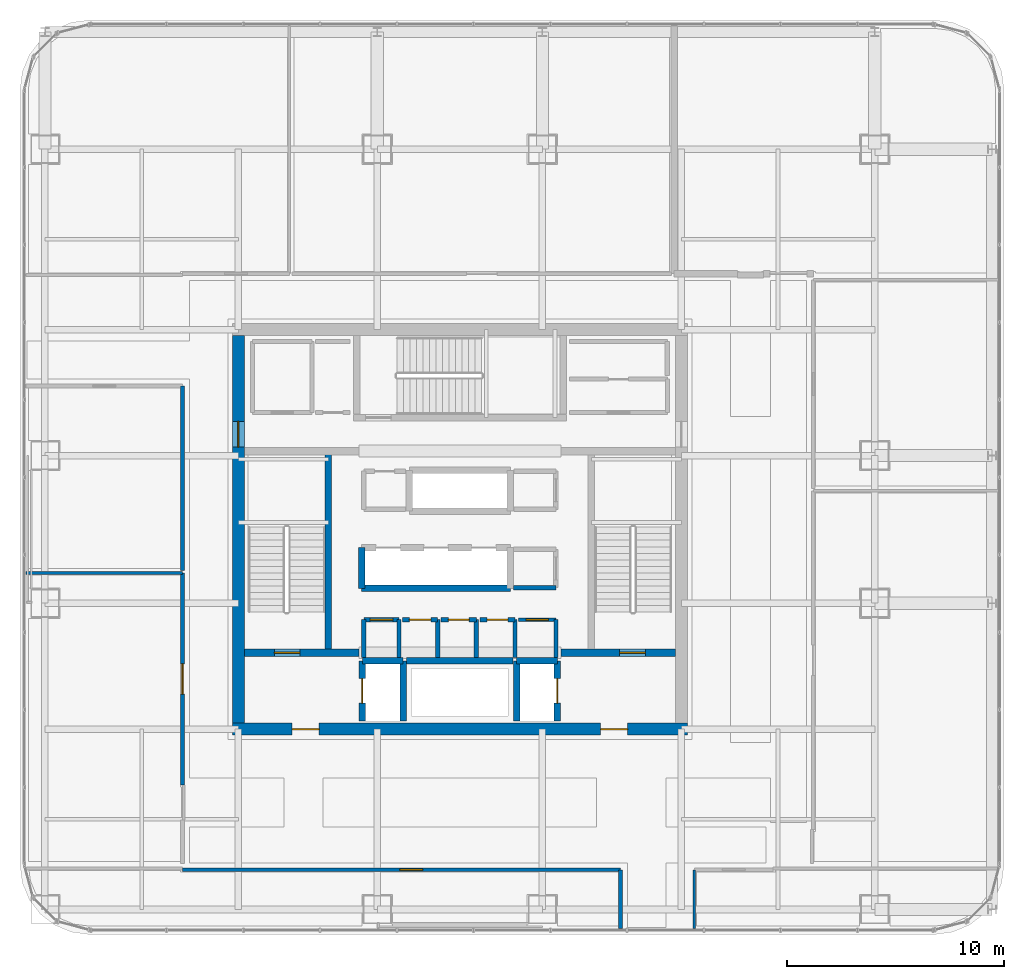
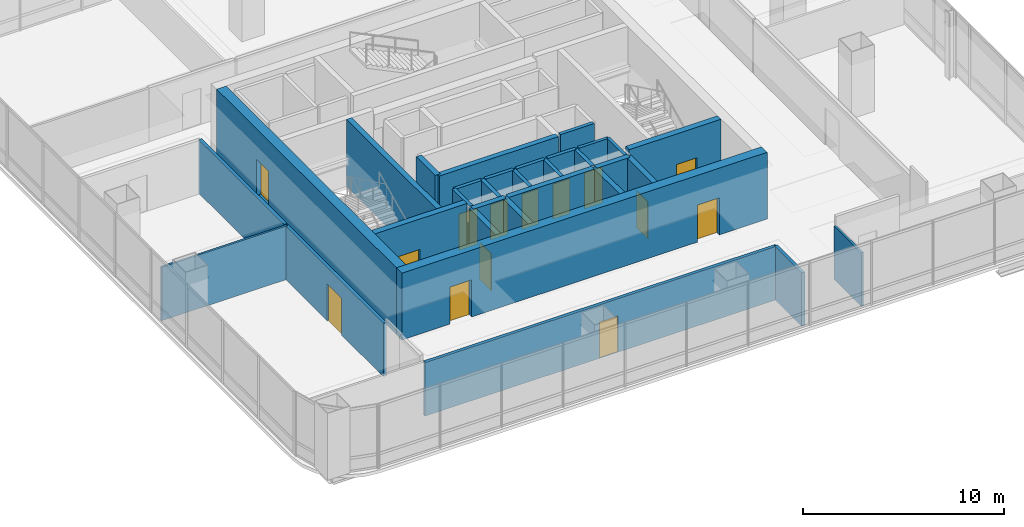
# One storey, part 33 of 40: 32 walls, 14 doors, 14 openings.
"""IFC4 building model written with IfcOpenShell, lengths in metres."""

from ifc_helpers import new_model, si_unit, direction, frame, frame_2d, origin, place, context, subcontext, project, spatial, rectangle, extrude, material, layer, layer_set, type_object, element, fill, save


model = new_model("IFC4")

# Units and contexts
model_context = context("Model", 3, precision=1e-05, world=origin(), true_north=direction((0.0, 1.0)))
body_context = subcontext(model_context, "Body", "Model", "MODEL_VIEW")
ifc_project = project(units=[si_unit("LENGTHUNIT", "METRE"), si_unit("AREAUNIT", "SQUARE_METRE"), si_unit("VOLUMEUNIT", "CUBIC_METRE"), si_unit("PLANEANGLEUNIT", "RADIAN"), si_unit("MASSUNIT", "GRAM", prefix="KILO")], contexts=[model_context])

# Site, building, storey
site_placement = place(None, origin())
site = spatial("IfcSite", under=ifc_project, at=site_placement, CompositionType="ELEMENT")
building_placement = place(site_placement, origin())
building = spatial("IfcBuilding", under=site, at=building_placement, Name="Punatoya Terracotta Tower", CompositionType="ELEMENT")
storey_placement = place(building_placement, frame((0.0, 0.0, 271.64990234375)))
storey = spatial("IfcBuildingStorey", under=building, at=storey_placement, Name="L64", CompositionType="ELEMENT", Elevation=271.64990234375)

# Wall, openings, doors
ifc_material_1 = material(Name="Concrete C50/60", Category="concrete")
ifc_layer_1 = layer(ifc_material_1, 0.550048828125)
ifc_layer_set_1 = layer_set([ifc_layer_1], Name="Concrete C50/60")
wall_type_1 = type_object("IfcWallType", Name="WL-COR-550", PredefinedType="SHEAR", material=ifc_layer_set_1)
wall_1_placement = place(storey_placement, frame((10.47509765625, -9.199951171875, 0.0), z_axis=(0.0, 0.0, 1.0), x_axis=(-1.0, 0.0, 0.0)))
wall_1 = element("IfcWall", 1, at=wall_1_placement, inside=storey, type_object=wall_type_1, Name="L64 Core Shear Wall S", PredefinedType="SHEAR", context=body_context, shape_type="SweptSolid", body=[
    extrude(rectangle(XDim=20.9501953125, YDim=0.550048828125, at=frame_2d((10.47509765625, 0.0))), origin(), (0.0, 0.0, 1.0), 4.050048828125),
])
opening_1_placement = place(wall_1_placement, frame((2.75, 0.0, 0.0)))
opening_1 = element("IfcOpeningElement", 2, at=opening_1_placement, cuts=wall_1, Name="Opening FD-L1", PredefinedType="OPENING", context=body_context, shape_type="SweptSolid", body=[
    extrude(rectangle(XDim=1.25, YDim=2.25, at=frame_2d((0.625, 1.125))), frame((0.0, 0.284912109375, 0.0), z_axis=(0.0, -1.0, 0.0), x_axis=(1.0, 0.0, 0.0)), (0.0, 0.0, 1.0), 0.570068359375),
])
opening_2_placement = place(wall_1_placement, frame((16.949951171875, 0.0, 0.0)))
opening_2 = element("IfcOpeningElement", 3, at=opening_2_placement, cuts=wall_1, Name="Opening FD-L1", PredefinedType="OPENING", context=body_context, shape_type="SweptSolid", body=[
    extrude(rectangle(XDim=1.25, YDim=2.25, at=frame_2d((0.625, 1.125))), frame((0.0, 0.284912109375, 0.0), z_axis=(0.0, -1.0, 0.0), x_axis=(1.0, 0.0, 0.0)), (0.0, 0.0, 1.0), 0.570068359375),
])
ifc_material_2 = material(Name="Galvanised Steel Smokeproof Fire Door", Category="steel")
door_type_1 = type_object("IfcDoorType", Name="DR-FFL-1250", OperationType="NOTDEFINED", PredefinedType="DOOR", material=ifc_material_2)
door_1_placement = place(opening_1_placement, origin())
door_1 = element("IfcDoor", 4, at=door_1_placement, inside=storey, type_object=door_type_1, Name="L64 East Firefighting Lobby Corridor Fire Door", OperationType="SINGLE_SWING_LEFT", OverallHeight=2.25, OverallWidth=1.25, PredefinedType="DOOR", context=body_context, shape_type="SweptSolid", body=[
    extrude(rectangle(XDim=1.25, YDim=2.25, at=frame_2d((0.625, 1.125))), frame((0.0, 0.02490234375, 0.0), z_axis=(0.0, -1.0, 0.0), x_axis=(1.0, 0.0, 0.0)), (0.0, 0.0, 1.0), 0.050048828125),
])
fill(opening_1, door_1)
door_2_placement = place(opening_2_placement, origin())
door_2 = element("IfcDoor", 5, at=door_2_placement, inside=storey, type_object=door_type_1, Name="L64 West Firefighting Lobby Corridor Fire Door", OperationType="SINGLE_SWING_RIGHT", OverallHeight=2.25, OverallWidth=1.25, PredefinedType="DOOR", context=body_context, shape_type="SweptSolid", body=[
    extrude(rectangle(XDim=1.25, YDim=2.25, at=frame_2d((0.625, 1.125))), frame((0.0, 0.02490234375, 0.0), z_axis=(0.0, -1.0, 0.0), x_axis=(1.0, 0.0, 0.0)), (0.0, 0.0, 1.0), 0.050048828125),
])
fill(opening_2, door_2)

# Wall, opening, door
wall_2_placement = place(storey_placement, frame((-10.199951171875, -8.925048828125, 0.0), z_axis=(0.0, 0.0, 1.0), x_axis=(0.0, 1.0, 0.0)))
wall_2 = element("IfcWall", 6, at=wall_2_placement, inside=storey, type_object=wall_type_1, Name="L64 Core Shear Wall W", PredefinedType="SHEAR", context=body_context, shape_type="SweptSolid", body=[
    extrude(rectangle(XDim=17.85009765625, YDim=0.550048828125, at=frame_2d((8.925048828125, 0.0))), origin(), (0.0, 0.0, 1.0), 4.050048828125),
])
opening_3_placement = place(wall_2_placement, frame((12.715087890625, 0.0, 0.0)))
opening_3 = element("IfcOpeningElement", 7, at=opening_3_placement, cuts=wall_2, Name="Opening SD-01", PredefinedType="OPENING", context=body_context, shape_type="SweptSolid", body=[
    extrude(rectangle(XDim=1.179931640625, YDim=2.199951171875, at=frame_2d((0.58984375, 1.10009765625))), frame((0.0, 0.284912109375, 0.0), z_axis=(0.0, -1.0, 0.0), x_axis=(1.0, 0.0, 0.0)), (0.0, 0.0, 1.0), 0.570068359375),
])
ifc_material_3 = material(Name="Galvanised Steel Pressurized Stair Fire Door", Category="steel")
door_type_2 = type_object("IfcDoorType", Name="DR-STR-1180", OperationType="NOTDEFINED", PredefinedType="DOOR", material=ifc_material_3)
door_3_placement = place(opening_3_placement, origin())
door_3 = element("IfcDoor", 8, at=door_3_placement, inside=storey, type_object=door_type_2, Name="L64 Central Lift Lobby West Fire Door", OperationType="SINGLE_SWING_LEFT", OverallHeight=2.199951171875, OverallWidth=1.179931640625, PredefinedType="DOOR", context=body_context, shape_type="SweptSolid", body=[
    extrude(rectangle(XDim=1.179931640625, YDim=2.199951171875, at=frame_2d((0.58984375, 1.10009765625))), frame((0.0, 0.02490234375, 0.0), z_axis=(0.0, -1.0, 0.0), x_axis=(1.0, 0.0, 0.0)), (0.0, 0.0, 1.0), 0.050048828125),
])
fill(opening_3, door_3)

# Wall
ifc_material_4 = material(Name="Gypsum Fireboard + Steel Stud", Category="steel")
ifc_layer_2 = layer(ifc_material_4, 0.179931640625)
ifc_layer_set_2 = layer_set([ifc_layer_2], Name="Gypsum Fireboard + Steel Stud")
wall_type_2 = type_object("IfcWallType", Name="WL-CORR-180", PredefinedType="PARTITIONING", material=ifc_layer_set_2)
wall_3_placement = place(storey_placement, frame((4.419921875, -5.89990234375, 0.0), z_axis=(0.0, 0.0, 1.0), x_axis=(0.0, 1.0, 0.0)))
element("IfcWall", 9, at=wall_3_placement, inside=storey, type_object=wall_type_2, Name="L64 Core Focus Booth Partition 10", PredefinedType="PARTITIONING", context=body_context, shape_type="SweptSolid", body=[
    extrude(rectangle(XDim=1.739990234375, YDim=0.179931640625, at=frame_2d((0.8701171875, 0.0))), origin(), (0.0, 0.0, 1.0), 3.85009765625),
])

# Wall, opening, door
wall_4_placement = place(storey_placement, frame((4.419921875, -4.159912109375, 0.0), z_axis=(0.0, 0.0, 1.0), x_axis=(-1.0, 0.0, 0.0)))
wall_4 = element("IfcWall", 10, at=wall_4_placement, inside=storey, type_object=wall_type_2, Name="L64 Core Focus Booth Partition 11", PredefinedType="PARTITIONING", context=body_context, shape_type="SweptSolid", body=[
    extrude(rectangle(XDim=1.719970703125, YDim=0.179931640625, at=frame_2d((0.85986328125, 0.0))), origin(), (0.0, 0.0, 1.0), 3.85009765625),
])
opening_4_placement = place(wall_4_placement, frame((0.35009765625, 0.0, 0.0)))
opening_4 = element("IfcOpeningElement", 11, at=opening_4_placement, cuts=wall_4, Name="Opening MD-01", PredefinedType="OPENING", context=body_context, shape_type="SweptSolid", body=[
    extrude(rectangle(XDim=1.02001953125, YDim=2.199951171875, at=frame_2d((0.510009765625, 1.10009765625))), frame((0.0, 0.099853515625, 0.0), z_axis=(0.0, -1.0, 0.0), x_axis=(1.0, 0.0, 0.0)), (0.0, 0.0, 1.0), 0.199951171875),
])
ifc_material_5 = material(Name="Aluminium + Acoustic Glass Leaf", Category="aluminium")
door_type_3 = type_object("IfcDoorType", Name="DR-MTG-1020", OperationType="NOTDEFINED", PredefinedType="DOOR", material=ifc_material_5)
door_4_placement = place(opening_4_placement, origin())
door_4 = element("IfcDoor", 12, at=door_4_placement, inside=storey, type_object=door_type_3, Name="L64 Focus Booth Door", OperationType="SINGLE_SWING_RIGHT", OverallHeight=2.199951171875, OverallWidth=1.02001953125, PredefinedType="DOOR", context=body_context, shape_type="SweptSolid", body=[
    extrude(rectangle(XDim=1.02001953125, YDim=2.199951171875, at=frame_2d((0.510009765625, 1.10009765625))), frame((0.0, 0.02490234375, 0.0), z_axis=(0.0, -1.0, 0.0), x_axis=(1.0, 0.0, 0.0)), (0.0, 0.0, 1.0), 0.050048828125),
])
fill(opening_4, door_4)

wall_5_placement = place(storey_placement, frame((-12.77001953125, -15.669921875, 0.0), z_axis=(0.0, 0.0, 1.0), x_axis=(1.0, 0.0, 0.0)))
wall_5 = element("IfcWall", 13, at=wall_5_placement, inside=storey, type_object=wall_type_2, Name="L64 Open-Plan Staff Wellness Studio Partition 33", PredefinedType="PARTITIONING", context=body_context, shape_type="SweptSolid", body=[
    extrude(rectangle(XDim=20.169921875, YDim=0.179931640625, at=frame_2d((10.0849609375, 0.0))), origin(), (0.0, 0.0, 1.0), 3.244140625),
])
opening_5_placement = place(wall_5_placement, frame((10.010009765625, 0.0, 0.0)))
opening_5 = element("IfcOpeningElement", 14, at=opening_5_placement, cuts=wall_5, Name="Opening OD-01", PredefinedType="OPENING", context=body_context, shape_type="SweptSolid", body=[
    extrude(rectangle(XDim=1.050048828125, YDim=2.199951171875, at=frame_2d((0.52490234375, 1.10009765625))), frame((0.0, 0.099853515625, 0.0), z_axis=(0.0, -1.0, 0.0), x_axis=(1.0, 0.0, 0.0)), (0.0, 0.0, 1.0), 0.199951171875),
])
ifc_material_6 = material(Name="Bengal Teak Solid-Core Leaf")
door_type_4 = type_object("IfcDoorType", Name="DR-OFF-1050", OperationType="NOTDEFINED", PredefinedType="DOOR", material=ifc_material_6)
door_5_placement = place(opening_5_placement, origin())
door_5 = element("IfcDoor", 15, at=door_5_placement, inside=storey, type_object=door_type_4, Name="L64 Open-Plan Staff Wellness Studio Door", OperationType="SINGLE_SWING_RIGHT", OverallHeight=2.199951171875, OverallWidth=1.050048828125, PredefinedType="DOOR", context=body_context, shape_type="SweptSolid", body=[
    extrude(rectangle(XDim=1.050048828125, YDim=2.199951171875, at=frame_2d((0.52490234375, 1.10009765625))), frame((0.0, 0.02490234375, 0.0), z_axis=(0.0, -1.0, 0.0), x_axis=(1.0, 0.0, 0.0)), (0.0, 0.0, 1.0), 0.050048828125),
])
fill(opening_5, door_5)

# Wall
wall_6_placement = place(storey_placement, frame((7.39990234375, -15.669921875, 0.0), z_axis=(0.0, 0.0, 1.0), x_axis=(0.0, -1.0, 0.0)))
element("IfcWall", 16, at=wall_6_placement, inside=storey, type_object=wall_type_2, Name="L64 Open-Plan Staff Wellness Studio Partition 34", PredefinedType="PARTITIONING", context=body_context, shape_type="SweptSolid", body=[
    extrude(rectangle(XDim=2.7001953125, YDim=0.179931640625, at=frame_2d((1.35009765625, 0.0))), origin(), (0.0, 0.0, 1.0), 3.244140625),
])

# Wall, opening, door
wall_7_placement = place(storey_placement, frame((-12.77001953125, -2.010009765625, 0.0), z_axis=(0.0, 0.0, 1.0), x_axis=(0.0, -1.0, 0.0)))
wall_7 = element("IfcWall", 17, at=wall_7_placement, inside=storey, type_object=wall_type_2, Name="L64 Open-Plan Cultural History Classroom Partition 39", PredefinedType="PARTITIONING", context=body_context, shape_type="SweptSolid", body=[
    extrude(rectangle(XDim=9.760009765625, YDim=0.179931640625, at=frame_2d((4.8798828125, 0.0))), origin(), (0.0, 0.0, 1.0), 3.244140625),
])
opening_6_placement = place(wall_7_placement, frame((4.179931640625, 0.0, 0.0)))
opening_6 = element("IfcOpeningElement", 18, at=opening_6_placement, cuts=wall_7, Name="Opening BD-01", PredefinedType="OPENING", context=body_context, shape_type="SweptSolid", body=[
    extrude(rectangle(XDim=1.39990234375, YDim=2.25, at=frame_2d((0.699951171875, 1.125))), frame((0.0, 0.099853515625, 0.0), z_axis=(0.0, -1.0, 0.0), x_axis=(1.0, 0.0, 0.0)), (0.0, 0.0, 1.0), 0.199951171875),
])
ifc_material_7 = material(Name="Bengal Teak Acoustic Leaf")
door_type_5 = type_object("IfcDoorType", Name="DR-BRD-1400", OperationType="NOTDEFINED", PredefinedType="DOOR", material=ifc_material_7)
door_6_placement = place(opening_6_placement, origin())
door_6 = element("IfcDoor", 19, at=door_6_placement, inside=storey, type_object=door_type_5, Name="L64 Open-Plan Cultural History Classroom Door", OperationType="SINGLE_SWING_RIGHT", OverallHeight=2.25, OverallWidth=1.39990234375, PredefinedType="DOOR", context=body_context, shape_type="SweptSolid", body=[
    extrude(rectangle(XDim=1.39990234375, YDim=2.25, at=frame_2d((0.699951171875, 1.125))), frame((0.0, 0.02490234375, 0.0), z_axis=(0.0, -1.0, 0.0), x_axis=(1.0, 0.0, 0.0)), (0.0, 0.0, 1.0), 0.050048828125),
])
fill(opening_6, door_6)

# Walls
wall_8_placement = place(storey_placement, frame((-12.77001953125, 6.60009765625, 0.0), z_axis=(0.0, 0.0, 1.0), x_axis=(0.0, -1.0, 0.0)))
element("IfcWall", 20, at=wall_8_placement, inside=storey, type_object=wall_type_2, Name="L64 Open-Plan Nutrition Tea Pantry Partition 46", PredefinedType="PARTITIONING", context=body_context, shape_type="SweptSolid", body=[
    extrude(rectangle(XDim=8.489990234375, YDim=0.179931640625, at=frame_2d((4.2451171875, 0.0))), origin(), (0.0, 0.0, 1.0), 3.244140625),
])
ifc_material_8 = material(Name="Concrete C40/50", Category="concrete")
ifc_layer_3 = layer(ifc_material_8, 0.199951171875)
ifc_layer_set_3 = layer_set([ifc_layer_3], Name="Concrete C40/50")
wall_type_3 = type_object("IfcWallType", Name="WL-INT-200", PredefinedType="SOLIDWALL", material=ifc_layer_set_3)
wall_9_placement = place(storey_placement, frame((-2.800048828125, -5.89990234375, 0.0), z_axis=(0.0, 0.0, 1.0), x_axis=(0.0, 1.0, 0.0)))
element("IfcWall", 21, at=wall_9_placement, inside=storey, type_object=wall_type_3, Name="L64 Core Tea Pantry Partition 01", PredefinedType="SOLIDWALL", context=body_context, shape_type="SweptSolid", body=[
    extrude(rectangle(XDim=1.739990234375, YDim=0.199951171875, at=frame_2d((0.8701171875, 0.0))), origin(), (0.0, 0.0, 1.0), 3.85009765625),
])

# Wall, opening, door
wall_10_placement = place(storey_placement, frame((-2.800048828125, -4.159912109375, 0.0), z_axis=(0.0, 0.0, 1.0), x_axis=(-1.0, 0.0, 0.0)))
wall_10 = element("IfcWall", 22, at=wall_10_placement, inside=storey, type_object=wall_type_3, Name="L64 Core Tea Pantry Partition 02", PredefinedType="SOLIDWALL", context=body_context, shape_type="SweptSolid", body=[
    extrude(rectangle(XDim=1.619873046875, YDim=0.199951171875, at=frame_2d((0.81005859375, 0.0))), origin(), (0.0, 0.0, 1.0), 3.85009765625),
])
opening_7_placement = place(wall_10_placement, frame((0.284912109375, 0.0, 0.0)))
opening_7 = element("IfcOpeningElement", 23, at=opening_7_placement, cuts=wall_10, Name="Opening OD-01", PredefinedType="OPENING", context=body_context, shape_type="SweptSolid", body=[
    extrude(rectangle(XDim=1.050048828125, YDim=2.199951171875, at=frame_2d((0.52490234375, 1.10009765625))), frame((0.0, 0.10986328125, 0.0), z_axis=(0.0, -1.0, 0.0), x_axis=(1.0, 0.0, 0.0)), (0.0, 0.0, 1.0), 0.219970703125),
])
door_7_placement = place(opening_7_placement, origin())
door_7 = element("IfcDoor", 24, at=door_7_placement, inside=storey, type_object=door_type_4, Name="L64 Tea Pantry Door", OperationType="SINGLE_SWING_RIGHT", OverallHeight=2.199951171875, OverallWidth=1.050048828125, PredefinedType="DOOR", context=body_context, shape_type="SweptSolid", body=[
    extrude(rectangle(XDim=1.050048828125, YDim=2.199951171875, at=frame_2d((0.52490234375, 1.10009765625))), frame((0.0, 0.02490234375, 0.0), z_axis=(0.0, -1.0, 0.0), x_axis=(1.0, 0.0, 0.0)), (0.0, 0.0, 1.0), 0.050048828125),
])
fill(opening_7, door_7)

# Walls
for number, where, z_axis, x_axis, name in (
    (25, (-4.419921875, -4.159912109375, 0.0), (0.0, 0.0, 1.0), (0.0, -1.0, 0.0), "L64 Core Tea Pantry Partition 03"),
    (26, (-1.02001953125, -5.89990234375, 0.0), (0.0, 0.0, 1.0), (0.0, 1.0, 0.0), "L64 Accessible Washroom Partition 04"),
):
    element("IfcWall", number, at=place(storey_placement, frame(where, z_axis=z_axis, x_axis=x_axis)), inside=storey, type_object=wall_type_3, Name=name, PredefinedType="SOLIDWALL", context=body_context, shape_type="SweptSolid", body=[
        extrude(rectangle(XDim=1.739990234375, YDim=0.199951171875, at=frame_2d((0.8701171875, 0.0))), origin(), (0.0, 0.0, 1.0), 3.85009765625),
    ])

# Wall, opening, door
wall_11_placement = place(storey_placement, frame((-1.02001953125, -4.159912109375, 0.0), z_axis=(0.0, 0.0, 1.0), x_axis=(-1.0, 0.0, 0.0)))
wall_11 = element("IfcWall", 27, at=wall_11_placement, inside=storey, type_object=wall_type_3, Name="L64 Accessible Washroom Partition 05", PredefinedType="SOLIDWALL", context=body_context, shape_type="SweptSolid", body=[
    extrude(rectangle(XDim=1.619873046875, YDim=0.199951171875, at=frame_2d((0.81005859375, 0.0))), origin(), (0.0, 0.0, 1.0), 3.85009765625),
])
opening_8_placement = place(wall_11_placement, frame((0.31005859375, 0.0, 0.0)))
opening_8 = element("IfcOpeningElement", 28, at=opening_8_placement, cuts=wall_11, Name="Opening AWD-1", PredefinedType="OPENING", context=body_context, shape_type="SweptSolid", body=[
    extrude(rectangle(XDim=1.0, YDim=2.14990234375, at=frame_2d((0.5, 1.074951171875))), frame((0.0, 0.10986328125, 0.0), z_axis=(0.0, -1.0, 0.0), x_axis=(1.0, 0.0, 0.0)), (0.0, 0.0, 1.0), 0.219970703125),
])
ifc_material_9 = material(Name="Bengal Teak Accessible WC Leaf")
door_type_6 = type_object("IfcDoorType", Name="DR-ACC-1000", OperationType="NOTDEFINED", PredefinedType="DOOR", material=ifc_material_9)
door_8_placement = place(opening_8_placement, origin())
door_8 = element("IfcDoor", 29, at=door_8_placement, inside=storey, type_object=door_type_6, Name="L64 Accessible Washroom Door", OperationType="SINGLE_SWING_LEFT", OverallHeight=2.14990234375, OverallWidth=1.0, PredefinedType="DOOR", context=body_context, shape_type="SweptSolid", body=[
    extrude(rectangle(XDim=1.0, YDim=2.14990234375, at=frame_2d((0.5, 1.074951171875))), frame((0.0, 0.02490234375, 0.0), z_axis=(0.0, -1.0, 0.0), x_axis=(1.0, 0.0, 0.0)), (0.0, 0.0, 1.0), 0.050048828125),
])
fill(opening_8, door_8)

# Wall
wall_12_placement = place(storey_placement, frame((0.760009765625, -5.89990234375, 0.0), z_axis=(0.0, 0.0, 1.0), x_axis=(0.0, 1.0, 0.0)))
element("IfcWall", 30, at=wall_12_placement, inside=storey, type_object=wall_type_3, Name="L64 Female Washroom Partition 06", PredefinedType="SOLIDWALL", context=body_context, shape_type="SweptSolid", body=[
    extrude(rectangle(XDim=1.739990234375, YDim=0.199951171875, at=frame_2d((0.8701171875, 0.0))), origin(), (0.0, 0.0, 1.0), 3.85009765625),
])

# Wall, opening, door
wall_13_placement = place(storey_placement, frame((0.760009765625, -4.159912109375, 0.0), z_axis=(0.0, 0.0, 1.0), x_axis=(-1.0, 0.0, 0.0)))
wall_13 = element("IfcWall", 31, at=wall_13_placement, inside=storey, type_object=wall_type_3, Name="L64 Female Washroom Partition 07", PredefinedType="SOLIDWALL", context=body_context, shape_type="SweptSolid", body=[
    extrude(rectangle(XDim=1.6201171875, YDim=0.199951171875, at=frame_2d((0.81005859375, 0.0))), origin(), (0.0, 0.0, 1.0), 3.85009765625),
])
opening_9_placement = place(wall_13_placement, frame((0.3349609375, 0.0, 0.0)))
opening_9 = element("IfcOpeningElement", 32, at=opening_9_placement, cuts=wall_13, Name="Opening WD-01", PredefinedType="OPENING", context=body_context, shape_type="SweptSolid", body=[
    extrude(rectangle(XDim=0.949951171875, YDim=2.14990234375, at=frame_2d((0.47509765625, 1.074951171875))), frame((0.0, 0.10986328125, 0.0), z_axis=(0.0, -1.0, 0.0), x_axis=(1.0, 0.0, 0.0)), (0.0, 0.0, 1.0), 0.219970703125),
])
ifc_material_10 = material(Name="Moisture-Resistant Laminate Timber Leaf", Category="wood")
door_type_7 = type_object("IfcDoorType", Name="DR-WC-950", OperationType="NOTDEFINED", PredefinedType="DOOR", material=ifc_material_10)
door_9_placement = place(opening_9_placement, origin())
door_9 = element("IfcDoor", 33, at=door_9_placement, inside=storey, type_object=door_type_7, Name="L64 Female Washroom Door", OperationType="SINGLE_SWING_RIGHT", OverallHeight=2.14990234375, OverallWidth=0.949951171875, PredefinedType="DOOR", context=body_context, shape_type="SweptSolid", body=[
    extrude(rectangle(XDim=0.949951171875, YDim=2.14990234375, at=frame_2d((0.47509765625, 1.074951171875))), frame((0.0, 0.02490234375, 0.0), z_axis=(0.0, -1.0, 0.0), x_axis=(1.0, 0.0, 0.0)), (0.0, 0.0, 1.0), 0.050048828125),
])
fill(opening_9, door_9)

# Wall
wall_14_placement = place(storey_placement, frame((2.5400390625, -5.89990234375, 0.0), z_axis=(0.0, 0.0, 1.0), x_axis=(0.0, 1.0, 0.0)))
element("IfcWall", 34, at=wall_14_placement, inside=storey, type_object=wall_type_3, Name="L64 Male Washroom Partition 08", PredefinedType="SOLIDWALL", context=body_context, shape_type="SweptSolid", body=[
    extrude(rectangle(XDim=1.739990234375, YDim=0.199951171875, at=frame_2d((0.8701171875, 0.0))), origin(), (0.0, 0.0, 1.0), 3.85009765625),
])

# Wall, opening, door
wall_15_placement = place(storey_placement, frame((2.5400390625, -4.159912109375, 0.0), z_axis=(0.0, 0.0, 1.0), x_axis=(-1.0, 0.0, 0.0)))
wall_15 = element("IfcWall", 35, at=wall_15_placement, inside=storey, type_object=wall_type_3, Name="L64 Male Washroom Partition 09", PredefinedType="SOLIDWALL", context=body_context, shape_type="SweptSolid", body=[
    extrude(rectangle(XDim=1.6201171875, YDim=0.199951171875, at=frame_2d((0.81005859375, 0.0))), origin(), (0.0, 0.0, 1.0), 3.85009765625),
])
opening_10_placement = place(wall_15_placement, frame((0.3349609375, 0.0, 0.0)))
opening_10 = element("IfcOpeningElement", 36, at=opening_10_placement, cuts=wall_15, Name="Opening WD-01", PredefinedType="OPENING", context=body_context, shape_type="SweptSolid", body=[
    extrude(rectangle(XDim=0.949951171875, YDim=2.14990234375, at=frame_2d((0.47509765625, 1.074951171875))), frame((0.0, 0.10986328125, 0.0), z_axis=(0.0, -1.0, 0.0), x_axis=(1.0, 0.0, 0.0)), (0.0, 0.0, 1.0), 0.219970703125),
])
door_10_placement = place(opening_10_placement, origin())
door_10 = element("IfcDoor", 37, at=door_10_placement, inside=storey, type_object=door_type_7, Name="L64 Male Washroom Door", OperationType="SINGLE_SWING_LEFT", OverallHeight=2.14990234375, OverallWidth=0.949951171875, PredefinedType="DOOR", context=body_context, shape_type="SweptSolid", body=[
    extrude(rectangle(XDim=0.949951171875, YDim=2.14990234375, at=frame_2d((0.47509765625, 1.074951171875))), frame((0.0, 0.02490234375, 0.0), z_axis=(0.0, -1.0, 0.0), x_axis=(1.0, 0.0, 0.0)), (0.0, 0.0, 1.0), 0.050048828125),
])
fill(opening_10, door_10)

# Walls
wall_16_placement = place(storey_placement, frame((2.47998046875, -2.679931640625, 0.0), z_axis=(0.0, 0.0, 1.0), x_axis=(1.0, 0.0, 0.0)))
element("IfcWall", 38, at=wall_16_placement, inside=storey, type_object=wall_type_3, Name="L64 East Core Tea Pantry Partition 14", PredefinedType="SOLIDWALL", context=body_context, shape_type="SweptSolid", body=[
    extrude(rectangle(XDim=1.93994140625, YDim=0.199951171875, at=frame_2d((0.969970703125, 0.0))), origin(), (0.0, 0.0, 1.0), 3.85009765625),
])
ifc_material_11 = material(Name="Gypsum Partition + Steel Stud", Category="steel")
ifc_layer_4 = layer(ifc_material_11, 0.1201171875)
ifc_layer_set_4 = layer_set([ifc_layer_4], Name="Gypsum Partition + Steel Stud")
wall_type_4 = type_object("IfcWallType", Name="WL-OFF-120", PredefinedType="PARTITIONING", material=ifc_layer_set_4)
wall_17_placement = place(storey_placement, frame((10.7939453125, -18.3701171875, 0.0), z_axis=(0.0, 0.0, 1.0), x_axis=(0.0, 1.0, 0.0)))
element("IfcWall", 39, at=wall_17_placement, inside=storey, type_object=wall_type_4, Name="L64 Open-Plan Occupational Rest Lounge Partition 35", PredefinedType="PARTITIONING", context=body_context, shape_type="SweptSolid", body=[
    extrude(rectangle(XDim=2.7001953125, YDim=0.1201171875, at=frame_2d((1.35009765625, 0.0))), origin(), (0.0, 0.0, 1.0), 3.244140625),
])
wall_18_placement = place(storey_placement, frame((-19.969970703125, -2.010009765625, 0.0), z_axis=(0.0, 0.0, 1.0), x_axis=(1.0, 0.0, 0.0)))
element("IfcWall", 40, at=wall_18_placement, inside=storey, type_object=wall_type_4, Name="L64 Open-Plan Cultural History Classroom Partition 38", PredefinedType="PARTITIONING", context=body_context, shape_type="SweptSolid", body=[
    extrude(rectangle(XDim=7.199951171875, YDim=0.1201171875, at=frame_2d((3.60009765625, 0.0))), origin(), (0.0, 0.0, 1.0), 3.244140625),
])
ifc_layer_5 = layer(ifc_material_8, 0.300048828125)
ifc_layer_set_5 = layer_set([ifc_layer_5], Name="Concrete C40/50")
wall_type_5 = type_object("IfcWallType", Name="WL-SHF-300", PredefinedType="SOLIDWALL", material=ifc_layer_set_5)
wall_19_placement = place(storey_placement, frame((-6.050048828125, -5.5, 0.0), z_axis=(0.0, 0.0, 1.0), x_axis=(0.0, 1.0, 0.0)))
element("IfcWall", 41, at=wall_19_placement, inside=storey, type_object=wall_type_5, Name="L64 Structural Stair Shaft Wall SW-ST1-E", PredefinedType="SOLIDWALL", context=body_context, shape_type="SweptSolid", body=[
    extrude(rectangle(XDim=8.949951171875, YDim=0.300048828125, at=frame_2d((4.47509765625, 0.0))), origin(), (0.0, 0.0, 1.0), 4.050048828125),
])

# Wall, opening, door
wall_20_placement = place(storey_placement, frame((-4.489990234375, -8.820068359375, 0.0), z_axis=(0.0, 0.0, 1.0), x_axis=(0.0, 1.0, 0.0)))
wall_20 = element("IfcWall", 42, at=wall_20_placement, inside=storey, type_object=wall_type_5, Name="L64 FFL-1 Front Hoistway Wall", PredefinedType="SOLIDWALL", context=body_context, shape_type="SweptSolid", body=[
    extrude(rectangle(XDim=2.77001953125, YDim=0.300048828125, at=frame_2d((1.385009765625, 0.0))), origin(), (0.0, 0.0, 1.0), 3.85009765625),
])
opening_11_placement = place(wall_20_placement, frame((0.824951171875, 0.0, 0.0)))
opening_11 = element("IfcOpeningElement", 43, at=opening_11_placement, cuts=wall_20, Name="Opening LD-02", PredefinedType="OPENING", context=body_context, shape_type="SweptSolid", body=[
    extrude(rectangle(XDim=1.1201171875, YDim=2.25, at=frame_2d((0.56005859375, 1.125))), frame((0.0, 0.159912109375, 0.0), z_axis=(0.0, -1.0, 0.0), x_axis=(1.0, 0.0, 0.0)), (0.0, 0.0, 1.0), 0.320068359375),
])
ifc_material_12 = material(Name="Stainless Steel Lift Landing Door", Category="steel")
door_type_8 = type_object("IfcDoorType", Name="DR-LND-1120", OperationType="NOTDEFINED", PredefinedType="DOOR", material=ifc_material_12)
door_11_placement = place(opening_11_placement, origin())
door_11 = element("IfcDoor", 44, at=door_11_placement, inside=storey, type_object=door_type_8, Name="L64 Firefighting Lift FFL-1 Sliding Landing Door", OperationType="SLIDING_TO_LEFT", OverallHeight=2.25, OverallWidth=1.1201171875, PredefinedType="DOOR", context=body_context, shape_type="SweptSolid", body=[
    extrude(rectangle(XDim=1.1201171875, YDim=2.25, at=frame_2d((0.56005859375, 1.125))), frame((0.0, 0.02490234375, 0.0), z_axis=(0.0, -1.0, 0.0), x_axis=(1.0, 0.0, 0.0)), (0.0, 0.0, 1.0), 0.050048828125),
])
fill(opening_11, door_11)

# Walls
wall_21_placement = place(storey_placement, frame((-2.610107421875, -8.820068359375, 0.0), z_axis=(0.0, 0.0, 1.0), x_axis=(0.0, 1.0, 0.0)))
element("IfcWall", 45, at=wall_21_placement, inside=storey, type_object=wall_type_5, Name="L64 FFL-1 Rear Hoistway Wall", PredefinedType="SOLIDWALL", context=body_context, shape_type="SweptSolid", body=[
    extrude(rectangle(XDim=2.77001953125, YDim=0.300048828125, at=frame_2d((1.385009765625, 0.0))), origin(), (0.0, 0.0, 1.0), 3.85009765625),
])
wall_22_placement = place(storey_placement, frame((-4.489990234375, -6.050048828125, 0.0), z_axis=(0.0, 0.0, 1.0), x_axis=(1.0, 0.0, 0.0)))
element("IfcWall", 46, at=wall_22_placement, inside=storey, type_object=wall_type_5, Name="L64 FFL-1 North Hoistway Wall", PredefinedType="SOLIDWALL", context=body_context, shape_type="SweptSolid", body=[
    extrude(rectangle(XDim=1.8798828125, YDim=0.300048828125, at=frame_2d((0.93994140625, 0.0))), origin(), (0.0, 0.0, 1.0), 3.85009765625),
])

# Wall, opening, door
wall_23_placement = place(storey_placement, frame((4.489990234375, -8.820068359375, 0.0), z_axis=(0.0, 0.0, 1.0), x_axis=(0.0, 1.0, 0.0)))
wall_23 = element("IfcWall", 47, at=wall_23_placement, inside=storey, type_object=wall_type_5, Name="L64 FFL-2 Front Hoistway Wall", PredefinedType="SOLIDWALL", context=body_context, shape_type="SweptSolid", body=[
    extrude(rectangle(XDim=2.77001953125, YDim=0.300048828125, at=frame_2d((1.385009765625, 0.0))), origin(), (0.0, 0.0, 1.0), 3.85009765625),
])
opening_12_placement = place(wall_23_placement, frame((0.824951171875, 0.0, 0.0)))
opening_12 = element("IfcOpeningElement", 48, at=opening_12_placement, cuts=wall_23, Name="Opening LD-02", PredefinedType="OPENING", context=body_context, shape_type="SweptSolid", body=[
    extrude(rectangle(XDim=1.1201171875, YDim=2.25, at=frame_2d((0.56005859375, 1.125))), frame((0.0, 0.159912109375, 0.0), z_axis=(0.0, -1.0, 0.0), x_axis=(1.0, 0.0, 0.0)), (0.0, 0.0, 1.0), 0.320068359375),
])
door_12_placement = place(opening_12_placement, origin())
door_12 = element("IfcDoor", 49, at=door_12_placement, inside=storey, type_object=door_type_8, Name="L64 Firefighting Lift FFL-2 Sliding Landing Door", OperationType="SLIDING_TO_RIGHT", OverallHeight=2.25, OverallWidth=1.1201171875, PredefinedType="DOOR", context=body_context, shape_type="SweptSolid", body=[
    extrude(rectangle(XDim=1.1201171875, YDim=2.25, at=frame_2d((0.56005859375, 1.125))), frame((0.0, 0.02490234375, 0.0), z_axis=(0.0, -1.0, 0.0), x_axis=(1.0, 0.0, 0.0)), (0.0, 0.0, 1.0), 0.050048828125),
])
fill(opening_12, door_12)

# Walls
wall_24_placement = place(storey_placement, frame((2.610107421875, -8.820068359375, 0.0), z_axis=(0.0, 0.0, 1.0), x_axis=(0.0, 1.0, 0.0)))
element("IfcWall", 50, at=wall_24_placement, inside=storey, type_object=wall_type_5, Name="L64 FFL-2 Rear Hoistway Wall", PredefinedType="SOLIDWALL", context=body_context, shape_type="SweptSolid", body=[
    extrude(rectangle(XDim=2.77001953125, YDim=0.300048828125, at=frame_2d((1.385009765625, 0.0))), origin(), (0.0, 0.0, 1.0), 3.85009765625),
])
wall_25_placement = place(storey_placement, frame((2.610107421875, -6.050048828125, 0.0), z_axis=(0.0, 0.0, 1.0), x_axis=(1.0, 0.0, 0.0)))
element("IfcWall", 51, at=wall_25_placement, inside=storey, type_object=wall_type_5, Name="L64 FFL-2 North Hoistway Wall", PredefinedType="SOLIDWALL", context=body_context, shape_type="SweptSolid", body=[
    extrude(rectangle(XDim=1.8798828125, YDim=0.300048828125, at=frame_2d((0.93994140625, 0.0))), origin(), (0.0, 0.0, 1.0), 3.85009765625),
])
wall_26_placement = place(storey_placement, frame((-4.52001953125, -2.719970703125, 0.0), z_axis=(0.0, 0.0, 1.0), x_axis=(1.0, 0.0, 0.0)))
element("IfcWall", 52, at=wall_26_placement, inside=storey, type_object=wall_type_5, Name="L64 South Lift Bank Rear Shaft Wall", PredefinedType="SOLIDWALL", context=body_context, shape_type="SweptSolid", body=[
    extrude(rectangle(XDim=6.840087890625, YDim=0.300048828125, at=frame_2d((3.419921875, 0.0))), origin(), (0.0, 0.0, 1.0), 3.85009765625),
])
wall_27_placement = place(storey_placement, frame((-4.52001953125, -2.719970703125, 0.0), z_axis=(0.0, 0.0, 1.0), x_axis=(0.0, 1.0, 0.0)))
element("IfcWall", 53, at=wall_27_placement, inside=storey, type_object=wall_type_5, Name="L64 South Lift Bank West End Wall", PredefinedType="SOLIDWALL", context=body_context, shape_type="SweptSolid", body=[
    extrude(rectangle(XDim=1.8798828125, YDim=0.300048828125, at=frame_2d((0.93994140625, 0.0))), origin(), (0.0, 0.0, 1.0), 3.85009765625),
])
wall_28_placement = place(storey_placement, frame((-2.449951171875, -6.050048828125, 0.0), z_axis=(0.0, 0.0, 1.0), x_axis=(1.0, 0.0, 0.0)))
element("IfcWall", 54, at=wall_28_placement, inside=storey, type_object=wall_type_5, Name="L64 Observation Shuttle Rear Hoistway Wall", PredefinedType="SOLIDWALL", context=body_context, shape_type="SweptSolid", body=[
    extrude(rectangle(XDim=4.89990234375, YDim=0.300048828125, at=frame_2d((2.449951171875, 0.0))), origin(), (0.0, 0.0, 1.0), 3.85009765625),
])

# Wall, opening, door
ifc_layer_6 = layer(ifc_material_1, 0.35009765625)
ifc_layer_set_6 = layer_set([ifc_layer_6], Name="Concrete C50/60")
wall_type_6 = type_object("IfcWallType", Name="WL-SHF-350", PredefinedType="SOLIDWALL", material=ifc_layer_set_6)
wall_29_placement = place(storey_placement, frame((-9.925048828125, -5.679931640625, 0.0), z_axis=(0.0, 0.0, 1.0), x_axis=(1.0, 0.0, 0.0)))
wall_29 = element("IfcWall", 55, at=wall_29_placement, inside=storey, type_object=wall_type_6, Name="L64 Core Web Wall CSW-L", PredefinedType="SOLIDWALL", context=body_context, shape_type="SweptSolid", body=[
    extrude(rectangle(XDim=5.275146484375, YDim=0.35009765625, at=frame_2d((2.6376953125, 0.0))), origin(), (0.0, 0.0, 1.0), 4.050048828125),
])
opening_13_placement = place(wall_29_placement, frame((1.385009765625, 0.0, 0.0)))
opening_13 = element("IfcOpeningElement", 56, at=opening_13_placement, cuts=wall_29, Name="Opening SD-01", PredefinedType="OPENING", context=body_context, shape_type="SweptSolid", body=[
    extrude(rectangle(XDim=1.179931640625, YDim=2.199951171875, at=frame_2d((0.58984375, 1.10009765625))), frame((0.0, 0.18505859375, 0.0), z_axis=(0.0, -1.0, 0.0), x_axis=(1.0, 0.0, 0.0)), (0.0, 0.0, 1.0), 0.3701171875),
])
door_13_placement = place(opening_13_placement, origin())
door_13 = element("IfcDoor", 57, at=door_13_placement, inside=storey, type_object=door_type_2, Name="L64 Stair ST-1 Smokeproof Lobby Fire Door", OperationType="SINGLE_SWING_LEFT", OverallHeight=2.199951171875, OverallWidth=1.179931640625, PredefinedType="DOOR", context=body_context, shape_type="SweptSolid", body=[
    extrude(rectangle(XDim=1.179931640625, YDim=2.199951171875, at=frame_2d((0.58984375, 1.10009765625))), frame((0.0, 0.02490234375, 0.0), z_axis=(0.0, -1.0, 0.0), x_axis=(1.0, 0.0, 0.0)), (0.0, 0.0, 1.0), 0.050048828125),
])
fill(opening_13, door_13)

wall_30_placement = place(storey_placement, frame((4.64990234375, -5.679931640625, 0.0), z_axis=(0.0, 0.0, 1.0), x_axis=(1.0, 0.0, 0.0)))
wall_30 = element("IfcWall", 58, at=wall_30_placement, inside=storey, type_object=wall_type_6, Name="L64 Core Web Wall CSW-R", PredefinedType="SOLIDWALL", context=body_context, shape_type="SweptSolid", body=[
    extrude(rectangle(XDim=5.275146484375, YDim=0.35009765625, at=frame_2d((2.6376953125, 0.0))), origin(), (0.0, 0.0, 1.0), 4.050048828125),
])
opening_14_placement = place(wall_30_placement, frame((2.7099609375, 0.0, 0.0)))
opening_14 = element("IfcOpeningElement", 59, at=opening_14_placement, cuts=wall_30, Name="Opening SD-01", PredefinedType="OPENING", context=body_context, shape_type="SweptSolid", body=[
    extrude(rectangle(XDim=1.179931640625, YDim=2.199951171875, at=frame_2d((0.58984375, 1.10009765625))), frame((0.0, 0.18505859375, 0.0), z_axis=(0.0, -1.0, 0.0), x_axis=(1.0, 0.0, 0.0)), (0.0, 0.0, 1.0), 0.3701171875),
])
door_14_placement = place(opening_14_placement, origin())
door_14 = element("IfcDoor", 60, at=door_14_placement, inside=storey, type_object=door_type_2, Name="L64 Stair ST-2 Smokeproof Lobby Fire Door", OperationType="SINGLE_SWING_RIGHT", OverallHeight=2.199951171875, OverallWidth=1.179931640625, PredefinedType="DOOR", context=body_context, shape_type="SweptSolid", body=[
    extrude(rectangle(XDim=1.179931640625, YDim=2.199951171875, at=frame_2d((0.58984375, 1.10009765625))), frame((0.0, 0.02490234375, 0.0), z_axis=(0.0, -1.0, 0.0), x_axis=(1.0, 0.0, 0.0)), (0.0, 0.0, 1.0), 0.050048828125),
])
fill(opening_14, door_14)

save(model, "model.ifc")
